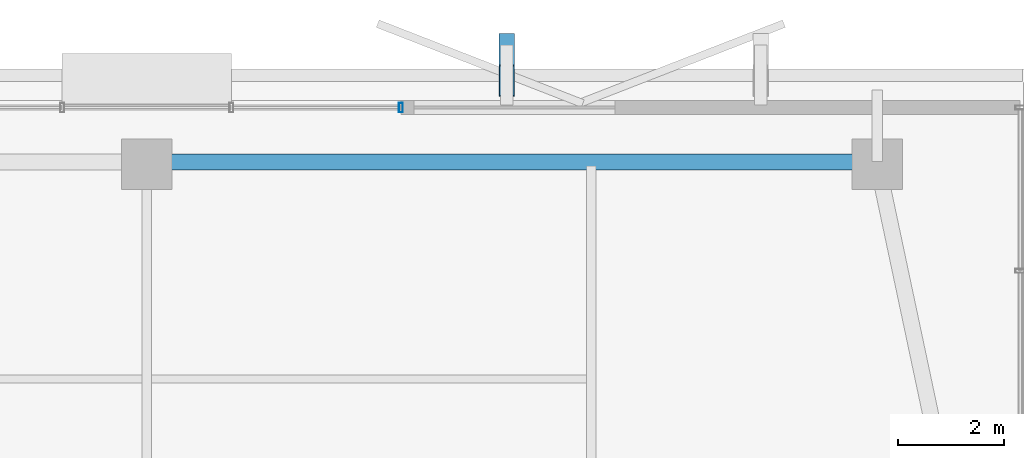
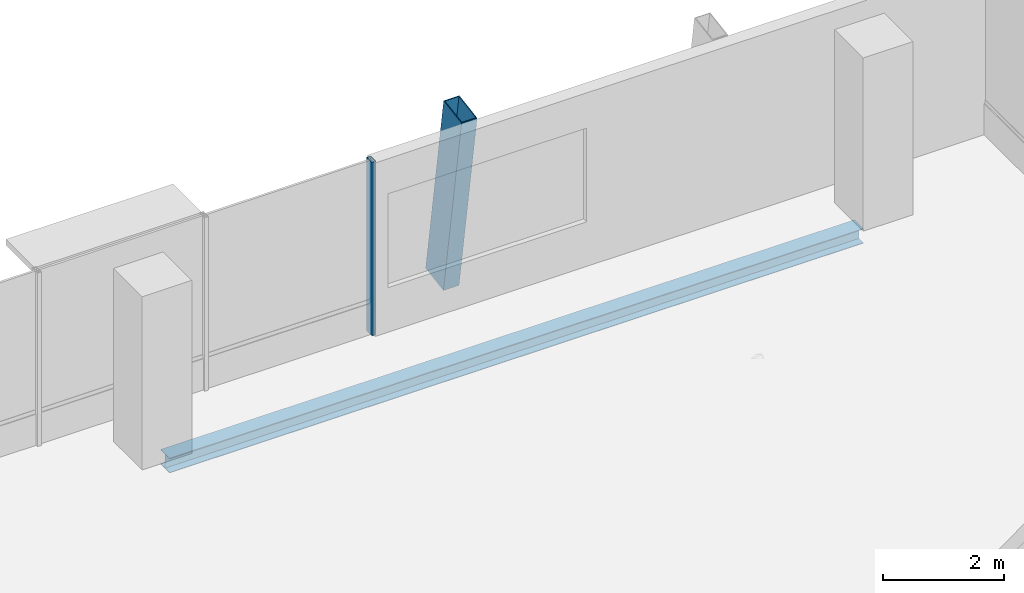
# One storey, part 17 of 26: 2 members, 1 beam, 1 element without a shape of its own.
"""IFC4 building model written with IfcOpenShell, lengths in metres."""

import ifcopenshell
import ifcopenshell.guid

model = None  # the IFC model being written
_history = None  # IfcOwnerHistory: only IFC2X3 demands one
_inside = {}  # id of a spatial element -> (the spatial element, [elements in it])
_under = {}  # id of a project, library or spatial element -> (it, [spatial elements below it])
_declared = {}  # id of a project -> (the project, [libraries it declares])
_typed = {}  # id of a type object -> (the type object, [elements of that type])
_made_of = {}  # id of a material, layer set ... -> (it, [elements and type objects made of it])


def new_model(schema):
    """Start an empty IFC model of exactly this schema.

    Asked for "IFC4X3", IfcOpenShell would pick the latest addendum, in which some entities
    have other attributes; the version numbers below select the first issue.
    IFC2X3 requires an IfcOwnerHistory on every rooted entity: one is made here for all.
    """
    global model, _history
    if schema == "IFC4X3":
        model = ifcopenshell.file(schema_version=(4, 3, 0, 0))
    else:
        model = ifcopenshell.file(schema=schema)
    _inside.clear()
    _under.clear()
    _declared.clear()
    _typed.clear()
    _made_of.clear()
    _history = None
    if model.schema == "IFC2X3":
        org = make("IfcOrganization", Name="unknown")
        user = make(
            "IfcPersonAndOrganization",
            ThePerson=make("IfcPerson", FamilyName="unknown"),
            TheOrganization=org,
        )
        app = make(
            "IfcApplication",
            ApplicationDeveloper=org,
            Version="unknown",
            ApplicationFullName="unknown",
            ApplicationIdentifier="unknown",
        )
        _history = make(
            "IfcOwnerHistory",
            OwningUser=user,
            OwningApplication=app,
            ChangeAction="ADDED",
            CreationDate=0,
        )
    return model


def make(cls, **values):
    """One entity of the class cls with the attributes given. An attribute that is None is left unset."""
    return model.create_entity(
        cls, **{name: value for name, value in values.items() if value is not None}
    )


def rooted(cls, **values):
    """An entity with a GlobalId (a new one), such as an element, a storey or a relation."""
    return make(cls, GlobalId=ifcopenshell.guid.new(), OwnerHistory=_history, **values)


def si_unit(unit_type, name, prefix=None):
    """IfcSIUnit, for example si_unit("LENGTHUNIT", "METRE", prefix="MILLI")."""
    return make("IfcSIUnit", UnitType=unit_type, Prefix=prefix, Name=name)


def assignment(units):
    """IfcUnitAssignment: the units of a project."""
    return None if units is None else make("IfcUnitAssignment", Units=units)


def point(xyz):
    """IfcCartesianPoint."""
    return None if xyz is None else make("IfcCartesianPoint", Coordinates=xyz)


def direction(xyz):
    """IfcDirection."""
    return None if xyz is None else make("IfcDirection", DirectionRatios=xyz)


def frame(location, z_axis=None, x_axis=None):
    """IfcAxis2Placement3D, a coordinate frame: its origin and axes. An axis left out is left unset."""
    return make(
        "IfcAxis2Placement3D",
        Location=point(location),
        Axis=direction(z_axis),
        RefDirection=direction(x_axis),
    )


def frame_2d(location, x_axis=None):
    """IfcAxis2Placement2D, a coordinate frame in the plane: its origin and x axis."""
    return make(
        "IfcAxis2Placement2D", Location=point(location), RefDirection=direction(x_axis)
    )


def origin():
    """The frame at (0, 0, 0) with its axes left unset."""
    return frame((0.0, 0.0, 0.0))


def origin_2d():
    """The frame at (0, 0) in the plane with its x axis left unset."""
    return frame_2d((0.0, 0.0))


def place(relative_to, where):
    """IfcLocalPlacement: puts the frame where relative to a parent placement (None: the world)."""
    return make(
        "IfcLocalPlacement", PlacementRelTo=relative_to, RelativePlacement=where
    )


def context(
    kind, dimensions, precision=None, world=None, true_north=None, identifier=None
):
    """IfcGeometricRepresentationContext, for example the 3D "Model" context."""
    return make(
        "IfcGeometricRepresentationContext",
        ContextIdentifier=identifier,
        ContextType=kind,
        CoordinateSpaceDimension=dimensions,
        Precision=precision,
        WorldCoordinateSystem=world,
        TrueNorth=true_north,
    )


def subcontext(parent, identifier, kind, view, scale=None):
    """IfcGeometricRepresentationSubContext, for example "Body" below "Model"."""
    return make(
        "IfcGeometricRepresentationSubContext",
        ContextIdentifier=identifier,
        ContextType=kind,
        ParentContext=parent,
        TargetScale=scale,
        TargetView=view,
    )


def project(units=None, contexts=None):
    """IfcProject with its units and contexts."""
    return rooted(
        "IfcProject",
        Name="project",
        RepresentationContexts=contexts,
        UnitsInContext=assignment(units),
    )


def spatial(cls, under=None, at=None, **own):
    """A site, building, storey or space (cls), placed at a placement, below another one or the project."""
    s = rooted(cls, ObjectPlacement=at, **own)
    if under is not None:
        _under.setdefault(under.id(), (under, []))[1].append(s)
    return s


def profile(cls, at=None, kind="AREA", **sizes):
    """A parametric profile (cls). Its sizes go by their IFC names, for example OverallWidth=200.0."""
    return make(cls, ProfileType=kind, Position=at, **sizes)


def hollow_rectangle(**sizes):
    """IfcRectangleHollowProfileDef."""
    return profile("IfcRectangleHollowProfileDef", **sizes)


def i_section(**sizes):
    """IfcIShapeProfileDef."""
    return profile("IfcIShapeProfileDef", **sizes)


def extrude(swept, where, along, depth):
    """IfcExtrudedAreaSolid: the profile swept, set in the frame where, extruded along a direction by depth."""
    return make(
        "IfcExtrudedAreaSolid",
        SweptArea=swept,
        Position=where,
        ExtrudedDirection=direction(along),
        Depth=depth,
    )


def shape(context_of_items, identifier, shape_type, items):
    """IfcShapeRepresentation: the items that make up one representation, for example the "Body"."""
    return make(
        "IfcShapeRepresentation",
        ContextOfItems=context_of_items,
        RepresentationIdentifier=identifier,
        RepresentationType=shape_type,
        Items=items,
    )


def material(Name=None, Category=None):
    """IfcMaterial."""
    return make("IfcMaterial", Name=Name, Category=Category)


def layer(
    of_material, thickness, ventilated=None, Name=None, Category=None, Priority=None
):
    """IfcMaterialLayer: one layer of a wall or slab, of a material (None: an air gap)."""
    return make(
        "IfcMaterialLayer",
        Material=of_material,
        LayerThickness=thickness,
        IsVentilated=ventilated,
        Name=Name,
        Category=Category,
        Priority=Priority,
    )


def layer_set(layers, Name=None):
    """IfcMaterialLayerSet."""
    return make("IfcMaterialLayerSet", MaterialLayers=layers, LayerSetName=Name)


def material_profile(
    of_material, cross_section, Name=None, Category=None, Priority=None
):
    """IfcMaterialProfile: a cross section and its material."""
    return make(
        "IfcMaterialProfile",
        Name=Name,
        Material=of_material,
        Profile=cross_section,
        Priority=Priority,
        Category=Category,
    )


def profile_set(profiles, Name=None, composite=None):
    """IfcMaterialProfileSet."""
    return make(
        "IfcMaterialProfileSet",
        Name=Name,
        MaterialProfiles=profiles,
        CompositeProfile=composite,
    )


def made_of(thing, what):
    """Note that an element or type object is made of a material, layer set ...; save() writes the relation."""
    if what is not None:
        _made_of.setdefault(what.id(), (what, []))[1].append(thing)
    return thing


def type_object(cls, material=None, **own):
    """A type object (cls), such as IfcWallType, which elements share."""
    return made_of(rooted(cls, **own), material)


def element(
    cls,
    number,
    at=None,
    inside=None,
    cuts=None,
    type_object=None,
    material=None,
    context=None,
    identifier="Body",
    shape_type=None,
    held_by="IfcProductDefinitionShape",
    body=None,
    shapes=None,
    **own,
):
    """One element of the class cls, such as IfcWall. Its Tag is "e" and its number.

    at: its placement. inside: the storey or other place that contains it. cuts: it is an
    opening in that element (IfcRelVoidsElement). A single representation is given by context,
    identifier, shape_type and body (its items); several are given by shapes. held_by: the class
    of the entity that holds the representations. save() writes the other relations.
    """
    e = rooted(cls, Tag="e%d" % number, ObjectPlacement=at, **own)
    if body is not None:
        shapes = [shape(context, identifier, shape_type, body)]
    if shapes is not None:
        e.Representation = make(held_by, Representations=shapes)
    if inside is not None:
        _inside.setdefault(inside.id(), (inside, []))[1].append(e)
    if cuts is not None:
        rooted(
            "IfcRelVoidsElement", RelatingBuildingElement=cuts, RelatedOpeningElement=e
        )
    if type_object is not None:
        _typed.setdefault(type_object.id(), (type_object, []))[1].append(e)
    return made_of(e, material)


def aggregate(whole, parts):
    """IfcRelAggregates: a whole, such as a stair, and the parts it consists of."""
    return rooted("IfcRelAggregates", RelatingObject=whole, RelatedObjects=parts)


def save(model, path):
    """Write the relations noted so far, then the file.

    IfcRelAggregates (storeys below a building ...), IfcRelContainedInSpatialStructure (elements
    in a storey), IfcRelDefinesByType, IfcRelAssociatesMaterial and IfcRelDeclares: one each for
    every whole, place, type object, material and project.
    """
    for whole, parts in _under.values():
        aggregate(whole, parts)
    for where, things in _inside.values():
        rooted(
            "IfcRelContainedInSpatialStructure",
            RelatedElements=things,
            RelatingStructure=where,
        )
    for kind, things in _typed.values():
        rooted("IfcRelDefinesByType", RelatedObjects=things, RelatingType=kind)
    for what, things in _made_of.values():
        rooted("IfcRelAssociatesMaterial", RelatedObjects=things, RelatingMaterial=what)
    for by, libraries in _declared.values():
        rooted("IfcRelDeclares", RelatingContext=by, RelatedDefinitions=libraries)
    model.write(path)


model = new_model("IFC4")

# Units and contexts
model_context = context("Model", 3, precision=1e-05, world=origin(), true_north=direction((0.0, 1.0)))
body_context = subcontext(model_context, "Body", "Model", "MODEL_VIEW")
ifc_project = project(units=[si_unit("LENGTHUNIT", "METRE"), si_unit("AREAUNIT", "SQUARE_METRE"), si_unit("VOLUMEUNIT", "CUBIC_METRE"), si_unit("PLANEANGLEUNIT", "RADIAN"), si_unit("MASSUNIT", "GRAM", prefix="KILO")], contexts=[model_context])

# Site, building, storey
site_placement = place(None, origin())
site = spatial("IfcSite", under=ifc_project, at=site_placement, CompositionType="ELEMENT")
building_placement = place(site_placement, origin())
building = spatial("IfcBuilding", under=site, at=building_placement, Name="Belovzor Exchange Tower", CompositionType="ELEMENT")
storey_placement = place(building_placement, frame((0.0, 0.0, 295.5)))
storey = spatial("IfcBuildingStorey", under=building, at=storey_placement, Name="L73", CompositionType="ELEMENT", Elevation=295.5)

# Curtain wall, member
ifc_material_1 = material(Name="Anodised Aluminium Framing", Category="aluminium")
ifc_layer = layer(ifc_material_1, 0.179931640625)
ifc_layer_set = layer_set([ifc_layer], Name="Anodised Aluminium Framing")
curtain_wall_type = type_object("IfcCurtainWallType", Name="Recessed Loggia Low-Iron Triple-Glazed Curtain Wall", PredefinedType="NOTDEFINED", material=ifc_layer_set)
curtain_wall_placement = place(storey_placement, origin())
curtain_wall = element("IfcCurtainWall", 1, at=curtain_wall_placement, inside=storey, type_object=curtain_wall_type, Name="CW3 Recessed Loggia Low-Iron Triple-Glazed Curtain Wall L73", PredefinedType="NOTDEFINED")
ifc_material_2 = material(Name="Steel S355", Category="steel")
ifc_material_profile_1 = material_profile(ifc_material_2, hollow_rectangle(XDim=0.074951171875, YDim=0.179931640625, WallThickness=0.0048828125, at=origin_2d()))
ifc_profile_set_1 = profile_set([ifc_material_profile_1], Name="Steel S355")
member_type_1 = type_object("IfcMemberType", Name="Thermally Broken Curtain Wall Mullion 180x75", PredefinedType="MULLION", material=ifc_profile_set_1)
member_1_placement = place(storey_placement, frame((33.60009765625, 51.469970703125, 0.0), z_axis=(0.0, 0.0, 1.0), x_axis=(1.0, 0.0, 0.0)))
member_1 = element("IfcMember", 2, at=member_1_placement, type_object=member_type_1, Name="CW-M180 Curtain Wall Mullion 4", PredefinedType="MULLION", context=body_context, shape_type="SweptSolid", body=[
    extrude(hollow_rectangle(XDim=0.074951171875, YDim=0.179931640625, WallThickness=0.0048828125, at=origin_2d()), origin(), (0.0, 0.0, 1.0), 3.510009765625),
])
aggregate(curtain_wall, [member_1])

# Member
ifc_material_3 = material(Name="Extruded Architectural Terracotta on Steel S355 Carrier", Category="masonry")
ifc_material_profile_2 = material_profile(ifc_material_3, hollow_rectangle(XDim=0.300048828125, YDim=0.60009765625, WallThickness=0.01611328125, at=origin_2d()))
ifc_profile_set_2 = profile_set([ifc_material_profile_2], Name="Extruded Architectural Terracotta on Steel S355 Carrier")
member_type_2 = type_object("IfcMemberType", Name="Upper Crown Terracotta Fin Assembly 550", PredefinedType="USERDEFINED", material=ifc_profile_set_2)
member_2_placement = place(storey_placement, frame((35.60009765625, 52.574951171875, -0.239990234375), z_axis=(0.0, -0.157952891656, 0.987446648694), x_axis=(1.0, 0.0, 0.0)))
element("IfcMember", 3, at=member_2_placement, inside=storey, type_object=member_type_2, Name="FIN-TC055 Terracotta Facade Fin L73 N3", ObjectType="FIN", PredefinedType="USERDEFINED", context=body_context, shape_type="SweptSolid", body=[
    extrude(hollow_rectangle(XDim=0.300048828125, YDim=0.60009765625, WallThickness=0.01611328125, at=origin_2d()), origin(), (0.0, 0.0, 1.0), 3.797607421875),
])

# Beam
ifc_material_4 = material(Name="Steel S355", Category="steel")
ifc_material_profile_3 = material_profile(ifc_material_4, i_section(OverallWidth=0.300048828125, OverallDepth=0.300048828125, WebThickness=0.008544921875, FlangeThickness=0.013916015625, at=origin_2d()))
ifc_profile_set_3 = profile_set([ifc_material_profile_3], Name="Steel S355")
beam_type = type_object("IfcBeamType", Name="Zone 6 Primary Girder HEA 300", PredefinedType="BEAM", material=ifc_profile_set_3)
beam_placement = place(storey_placement, frame((42.339111328125, 50.43896484375, -0.389892578125), z_axis=(-1.0, 0.0, 0.0), x_axis=(0.0, -1.0, 0.0)))
element("IfcBeam", 4, at=beam_placement, inside=storey, type_object=beam_type, Name="FG-Z6 Zone 6 Primary Girder HEA 300", PredefinedType="BEAM", context=body_context, shape_type="SweptSolid", body=[
    extrude(i_section(OverallWidth=0.300048828125, OverallDepth=0.300048828125, WebThickness=0.008544921875, FlangeThickness=0.013916015625, at=origin_2d()), origin(), (0.0, 0.0, 1.0), 13.278076171875),
])

save(model, "model.ifc")
